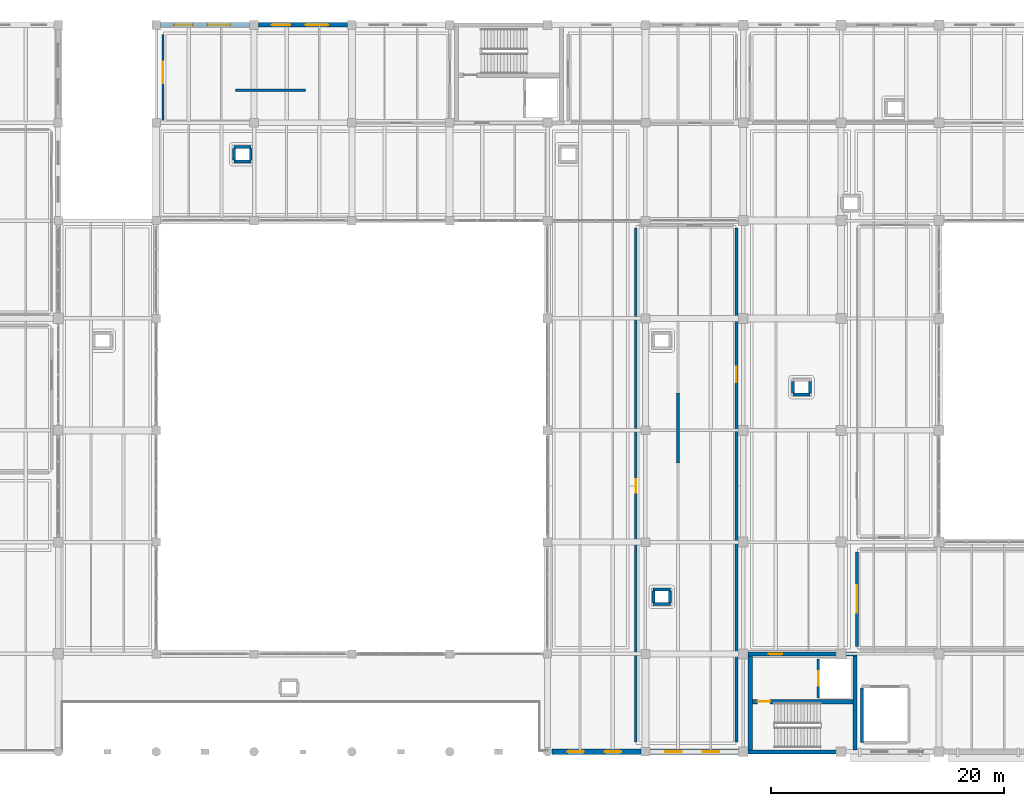
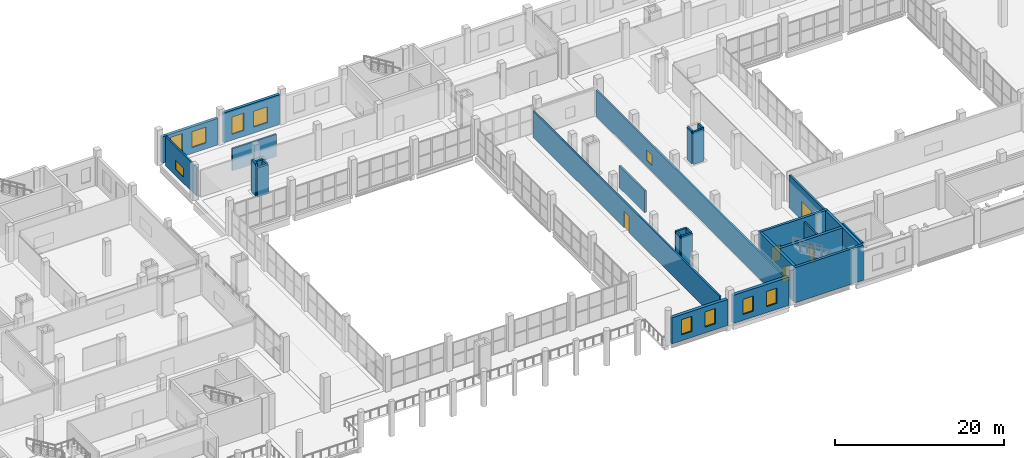
# One storey, part 48 of 66: 28 walls, 10 windows, 5 doors, 15 openings.
"""IFC4 building model written with IfcOpenShell, lengths in metres."""

from ifc_helpers import new_model, si_unit, direction, frame, frame_2d, origin, place, context, subcontext, project, spatial, rectangle, extrude, material, layer, layer_set, type_object, element, fill, save


model = new_model("IFC4")

# Units and contexts
model_context = context("Model", 3, precision=1e-05, world=origin(), true_north=direction((0.0, 1.0)))
body_context = subcontext(model_context, "Body", "Model", "MODEL_VIEW")
ifc_project = project(units=[si_unit("LENGTHUNIT", "METRE"), si_unit("AREAUNIT", "SQUARE_METRE"), si_unit("VOLUMEUNIT", "CUBIC_METRE"), si_unit("PLANEANGLEUNIT", "RADIAN"), si_unit("MASSUNIT", "GRAM", prefix="KILO")], contexts=[model_context])

# Site, building, storey
site_placement = place(None, origin())
site = spatial("IfcSite", under=ifc_project, at=site_placement, CompositionType="ELEMENT")
building_placement = place(site_placement, origin())
building = spatial("IfcBuilding", under=site, at=building_placement, Name="Zulmaris Art Gallery", CompositionType="ELEMENT")
storey_placement = place(building_placement, frame((0.0, 0.0, 5.39990234375)))
storey = spatial("IfcBuildingStorey", under=building, at=storey_placement, Name="L01", CompositionType="ELEMENT", Elevation=5.39990234375)

# Wall, openings, windows
ifc_material_1 = material(Name="Omani Cream Limestone Ashlar Masonry", Category="masonry")
ifc_layer_1 = layer(ifc_material_1, 0.43994140625)
ifc_layer_set_1 = layer_set([ifc_layer_1], Name="Omani Cream Limestone Ashlar Masonry")
wall_type_1 = type_object("IfcWallType", Name="ENV-WALL-EW01", PredefinedType="SOLIDWALL", material=ifc_layer_set_1)
wall_1_placement = place(storey_placement, frame((125.177001953125, 13.199951171875, 0.0), z_axis=(0.0, 0.0, 1.0), x_axis=(1.0, 0.0, 0.0)))
wall_1 = element("IfcWall", 1, at=wall_1_placement, inside=storey, type_object=wall_type_1, Name="L01 V4 South Street Facade", PredefinedType="SOLIDWALL", context=body_context, shape_type="SweptSolid", body=[
    extrude(rectangle(XDim=7.64599609375, YDim=0.43994140625, at=frame_2d((3.822998046875, 0.0))), origin(), (0.0, 0.0, 1.0), 3.77001953125),
])
opening_1_placement = place(wall_1_placement, frame((1.343017578125, 0.0, 0.85009765625)))
opening_1 = element("IfcOpeningElement", 2, at=opening_1_placement, cuts=wall_1, Name="Opening W04", PredefinedType="OPENING", context=body_context, shape_type="SweptSolid", body=[
    extrude(rectangle(XDim=1.39990234375, YDim=2.199951171875, at=frame_2d((0.699951171875, 1.10009765625))), frame((0.0, 0.22998046875, 0.0), z_axis=(0.0, -1.0, 0.0), x_axis=(1.0, 0.0, 0.0)), (0.0, 0.0, 1.0), 0.4599609375),
])
opening_2_placement = place(wall_1_placement, frame((4.54296875, 0.0, 0.85009765625)))
opening_2 = element("IfcOpeningElement", 3, at=opening_2_placement, cuts=wall_1, Name="Opening W04", PredefinedType="OPENING", context=body_context, shape_type="SweptSolid", body=[
    extrude(rectangle(XDim=1.39990234375, YDim=2.199951171875, at=frame_2d((0.699951171875, 1.10009765625))), frame((0.0, 0.22998046875, 0.0), z_axis=(0.0, -1.0, 0.0), x_axis=(1.0, 0.0, 0.0)), (0.0, 0.0, 1.0), 0.4599609375),
])
ifc_material_2 = material(Name="Deep-Reveal Limestone Slot Window", Category="masonry")
window_type_1 = type_object("IfcWindowType", Name="WIN-W04", PartitioningType="SINGLE_PANEL", PredefinedType="WINDOW", material=ifc_material_2)
window_1_placement = place(opening_1_placement, origin())
window_1 = element("IfcWindow", 4, at=window_1_placement, inside=storey, type_object=window_type_1, Name="L01 exterior window W04", OverallHeight=2.199951171875, OverallWidth=1.39990234375, PartitioningType="SINGLE_PANEL", PredefinedType="WINDOW", context=body_context, shape_type="SweptSolid", body=[
    extrude(rectangle(XDim=1.39990234375, YDim=2.199951171875, at=frame_2d((0.699951171875, 1.10009765625))), frame((0.0, 0.030029296875, 0.0), z_axis=(0.0, -1.0, 0.0), x_axis=(1.0, 0.0, 0.0)), (0.0, 0.0, 1.0), 0.06005859375),
])
fill(opening_1, window_1)
window_2_placement = place(opening_2_placement, origin())
window_2 = element("IfcWindow", 5, at=window_2_placement, inside=storey, type_object=window_type_1, Name="L01 exterior window W04", OverallHeight=2.199951171875, OverallWidth=1.39990234375, PartitioningType="SINGLE_PANEL", PredefinedType="WINDOW", context=body_context, shape_type="SweptSolid", body=[
    extrude(rectangle(XDim=1.39990234375, YDim=2.199951171875, at=frame_2d((0.699951171875, 1.10009765625))), frame((0.0, 0.030029296875, 0.0), z_axis=(0.0, -1.0, 0.0), x_axis=(1.0, 0.0, 0.0)), (0.0, 0.0, 1.0), 0.06005859375),
])
fill(opening_2, window_2)

wall_2_placement = place(storey_placement, frame((133.576904296875, 13.199951171875, 0.0), z_axis=(0.0, 0.0, 1.0), x_axis=(1.0, 0.0, 0.0)))
wall_2 = element("IfcWall", 6, at=wall_2_placement, inside=storey, type_object=wall_type_1, Name="L01 V4 South Street Facade", PredefinedType="SOLIDWALL", context=body_context, shape_type="SweptSolid", body=[
    extrude(rectangle(XDim=7.59619140625, YDim=0.43994140625, at=frame_2d((3.798095703125, 0.0))), origin(), (0.0, 0.0, 1.0), 4.070068359375),
])
opening_3_placement = place(wall_2_placement, frame((1.343017578125, 0.0, 0.85009765625)))
opening_3 = element("IfcOpeningElement", 7, at=opening_3_placement, cuts=wall_2, Name="Opening W04", PredefinedType="OPENING", context=body_context, shape_type="SweptSolid", body=[
    extrude(rectangle(XDim=1.39990234375, YDim=2.199951171875, at=frame_2d((0.699951171875, 1.10009765625))), frame((0.0, 0.22998046875, 0.0), z_axis=(0.0, -1.0, 0.0), x_axis=(1.0, 0.0, 0.0)), (0.0, 0.0, 1.0), 0.4599609375),
])
opening_4_placement = place(wall_2_placement, frame((4.54296875, 0.0, 0.85009765625)))
opening_4 = element("IfcOpeningElement", 8, at=opening_4_placement, cuts=wall_2, Name="Opening W04", PredefinedType="OPENING", context=body_context, shape_type="SweptSolid", body=[
    extrude(rectangle(XDim=1.39990234375, YDim=2.199951171875, at=frame_2d((0.699951171875, 1.10009765625))), frame((0.0, 0.22998046875, 0.0), z_axis=(0.0, -1.0, 0.0), x_axis=(1.0, 0.0, 0.0)), (0.0, 0.0, 1.0), 0.4599609375),
])
window_3_placement = place(opening_3_placement, origin())
window_3 = element("IfcWindow", 9, at=window_3_placement, inside=storey, type_object=window_type_1, Name="L01 exterior window W04", OverallHeight=2.199951171875, OverallWidth=1.39990234375, PartitioningType="SINGLE_PANEL", PredefinedType="WINDOW", context=body_context, shape_type="SweptSolid", body=[
    extrude(rectangle(XDim=1.39990234375, YDim=2.199951171875, at=frame_2d((0.699951171875, 1.10009765625))), frame((0.0, 0.030029296875, 0.0), z_axis=(0.0, -1.0, 0.0), x_axis=(1.0, 0.0, 0.0)), (0.0, 0.0, 1.0), 0.06005859375),
])
fill(opening_3, window_3)
window_4_placement = place(opening_4_placement, origin())
window_4 = element("IfcWindow", 10, at=window_4_placement, inside=storey, type_object=window_type_1, Name="L01 exterior window W04", OverallHeight=2.199951171875, OverallWidth=1.39990234375, PartitioningType="SINGLE_PANEL", PredefinedType="WINDOW", context=body_context, shape_type="SweptSolid", body=[
    extrude(rectangle(XDim=1.39990234375, YDim=2.199951171875, at=frame_2d((0.699951171875, 1.10009765625))), frame((0.0, 0.030029296875, 0.0), z_axis=(0.0, -1.0, 0.0), x_axis=(1.0, 0.0, 0.0)), (0.0, 0.0, 1.0), 0.06005859375),
])
fill(opening_4, window_4)

ifc_material_3 = material(Name="Omani Desert Rose Limestone Cladding Wall", Category="masonry")
ifc_layer_2 = layer(ifc_material_3, 0.389892578125)
ifc_layer_set_2 = layer_set([ifc_layer_2], Name="Omani Desert Rose Limestone Cladding Wall")
wall_type_2 = type_object("IfcWallType", Name="ENV-WALL-EW02", PredefinedType="SOLIDWALL", material=ifc_layer_set_2)
wall_3_placement = place(storey_placement, frame((91.576904296875, 75.60009765625, 0.0), z_axis=(0.0, 0.0, 1.0), x_axis=(1.0, 0.0, 0.0)))
wall_3 = element("IfcWall", 11, at=wall_3_placement, inside=storey, type_object=wall_type_2, Name="L01 V4 North Alley Limestone Facade (91.2..99.6)", PredefinedType="SOLIDWALL", context=body_context, shape_type="SweptSolid", body=[
    extrude(rectangle(XDim=7.64599609375, YDim=0.389892578125, at=frame_2d((3.822998046875, 0.0))), origin(), (0.0, 0.0, 1.0), 3.820068359375),
])
opening_5_placement = place(wall_3_placement, frame((1.14306640625, 0.0, 0.85009765625)))
opening_5 = element("IfcOpeningElement", 12, at=opening_5_placement, cuts=wall_3, Name="Opening W01", PredefinedType="OPENING", context=body_context, shape_type="SweptSolid", body=[
    extrude(rectangle(XDim=1.60009765625, YDim=2.5, at=frame_2d((0.800048828125, 1.25))), frame((0.0, 0.204833984375, 0.0), z_axis=(0.0, -1.0, 0.0), x_axis=(1.0, 0.0, 0.0)), (0.0, 0.0, 1.0), 0.409912109375),
])
opening_6_placement = place(wall_3_placement, frame((4.04296875, 0.0, 0.85009765625)))
opening_6 = element("IfcOpeningElement", 13, at=opening_6_placement, cuts=wall_3, Name="Opening W08", PredefinedType="OPENING", context=body_context, shape_type="SweptSolid", body=[
    extrude(rectangle(XDim=1.949951171875, YDim=2.300048828125, at=frame_2d((0.97509765625, 1.14990234375))), frame((0.0, 0.204833984375, 0.0), z_axis=(0.0, -1.0, 0.0), x_axis=(1.0, 0.0, 0.0)), (0.0, 0.0, 1.0), 0.409912109375),
])
ifc_material_4 = material(Name="Double-Glazed Solar-Control Low-E Window", Category="glass")
window_type_2 = type_object("IfcWindowType", Name="WIN-W01", PartitioningType="SINGLE_PANEL", PredefinedType="WINDOW", material=ifc_material_4)
window_5_placement = place(opening_5_placement, origin())
window_5 = element("IfcWindow", 14, at=window_5_placement, inside=storey, type_object=window_type_2, Name="L01 exterior window W01", OverallHeight=2.5, OverallWidth=1.60009765625, PartitioningType="SINGLE_PANEL", PredefinedType="WINDOW", context=body_context, shape_type="SweptSolid", body=[
    extrude(rectangle(XDim=1.60009765625, YDim=2.5, at=frame_2d((0.800048828125, 1.25))), frame((0.0, 0.030029296875, 0.0), z_axis=(0.0, -1.0, 0.0), x_axis=(1.0, 0.0, 0.0)), (0.0, 0.0, 1.0), 0.06005859375),
])
fill(opening_5, window_5)
ifc_material_5 = material(Name="Curatorial North Studio Window", Category="glass")
window_type_3 = type_object("IfcWindowType", Name="WIN-W08", PartitioningType="SINGLE_PANEL", PredefinedType="WINDOW", material=ifc_material_5)
window_6_placement = place(opening_6_placement, origin())
window_6 = element("IfcWindow", 15, at=window_6_placement, inside=storey, type_object=window_type_3, Name="L01 exterior window W08", OverallHeight=2.300048828125, OverallWidth=1.949951171875, PartitioningType="SINGLE_PANEL", PredefinedType="WINDOW", context=body_context, shape_type="SweptSolid", body=[
    extrude(rectangle(XDim=1.949951171875, YDim=2.300048828125, at=frame_2d((0.97509765625, 1.14990234375))), frame((0.0, 0.030029296875, 0.0), z_axis=(0.0, -1.0, 0.0), x_axis=(1.0, 0.0, 0.0)), (0.0, 0.0, 1.0), 0.06005859375),
])
fill(opening_6, window_6)

wall_4_placement = place(storey_placement, frame((99.97705078125, 75.60009765625, 0.0), z_axis=(0.0, 0.0, 1.0), x_axis=(1.0, 0.0, 0.0)))
wall_4 = element("IfcWall", 16, at=wall_4_placement, inside=storey, type_object=wall_type_2, Name="L01 V4 North Alley Limestone Facade (99.6..108.0)", PredefinedType="SOLIDWALL", context=body_context, shape_type="SweptSolid", body=[
    extrude(rectangle(XDim=7.64599609375, YDim=0.389892578125, at=frame_2d((3.822998046875, 0.0))), origin(), (0.0, 0.0, 1.0), 4.320068359375),
])
opening_7_placement = place(wall_4_placement, frame((1.14306640625, 0.0, 0.85009765625)))
opening_7 = element("IfcOpeningElement", 17, at=opening_7_placement, cuts=wall_4, Name="Opening W01", PredefinedType="OPENING", context=body_context, shape_type="SweptSolid", body=[
    extrude(rectangle(XDim=1.60009765625, YDim=2.5, at=frame_2d((0.800048828125, 1.25))), frame((0.0, 0.204833984375, 0.0), z_axis=(0.0, -1.0, 0.0), x_axis=(1.0, 0.0, 0.0)), (0.0, 0.0, 1.0), 0.409912109375),
])
opening_8_placement = place(wall_4_placement, frame((4.04296875, 0.0, 0.85009765625)))
opening_8 = element("IfcOpeningElement", 18, at=opening_8_placement, cuts=wall_4, Name="Opening W08", PredefinedType="OPENING", context=body_context, shape_type="SweptSolid", body=[
    extrude(rectangle(XDim=1.949951171875, YDim=2.300048828125, at=frame_2d((0.97509765625, 1.14990234375))), frame((0.0, 0.204833984375, 0.0), z_axis=(0.0, -1.0, 0.0), x_axis=(1.0, 0.0, 0.0)), (0.0, 0.0, 1.0), 0.409912109375),
])
window_7_placement = place(opening_7_placement, origin())
window_7 = element("IfcWindow", 19, at=window_7_placement, inside=storey, type_object=window_type_2, Name="L01 exterior window W01", OverallHeight=2.5, OverallWidth=1.60009765625, PartitioningType="SINGLE_PANEL", PredefinedType="WINDOW", context=body_context, shape_type="SweptSolid", body=[
    extrude(rectangle(XDim=1.60009765625, YDim=2.5, at=frame_2d((0.800048828125, 1.25))), frame((0.0, 0.030029296875, 0.0), z_axis=(0.0, -1.0, 0.0), x_axis=(1.0, 0.0, 0.0)), (0.0, 0.0, 1.0), 0.06005859375),
])
fill(opening_7, window_7)
window_8_placement = place(opening_8_placement, origin())
window_8 = element("IfcWindow", 20, at=window_8_placement, inside=storey, type_object=window_type_3, Name="L01 exterior window W08", OverallHeight=2.300048828125, OverallWidth=1.949951171875, PartitioningType="SINGLE_PANEL", PredefinedType="WINDOW", context=body_context, shape_type="SweptSolid", body=[
    extrude(rectangle(XDim=1.949951171875, YDim=2.300048828125, at=frame_2d((0.97509765625, 1.14990234375))), frame((0.0, 0.030029296875, 0.0), z_axis=(0.0, -1.0, 0.0), x_axis=(1.0, 0.0, 0.0)), (0.0, 0.0, 1.0), 0.06005859375),
])
fill(opening_8, window_8)

# Walls
ifc_material_6 = material(Name="Freestanding Sculpture Plinth Screen Wall C", Category="timber")
ifc_layer_3 = layer(ifc_material_6, 0.2119140625)
ifc_layer_set_3 = layer_set([ifc_layer_3], Name="Freestanding Sculpture Plinth Screen Wall C")
wall_type_3 = type_object("IfcWallType", Name="IWALL-MW03", PredefinedType="MOVABLE", material=ifc_layer_set_3)
wall_5_placement = place(storey_placement, frame((98.0, 70.0, 0.0), z_axis=(0.0, 0.0, 1.0), x_axis=(1.0, 0.0, 0.0)))
element("IfcWall", 21, at=wall_5_placement, inside=storey, type_object=wall_type_3, Name="L01 Movable Gallery Display Wall 7", PredefinedType="MOVABLE", context=body_context, shape_type="SweptSolid", body=[
    extrude(rectangle(XDim=6.0, YDim=0.2119140625, at=frame_2d((3.0, 0.0))), origin(), (0.0, 0.0, 1.0), 3.2001953125),
])
ifc_material_7 = material(Name="Pivoting Double-Sided Canvas Display Wall D", Category="timber")
ifc_layer_4 = layer(ifc_material_7, 0.248046875)
ifc_layer_set_4 = layer_set([ifc_layer_4], Name="Pivoting Double-Sided Canvas Display Wall D")
wall_type_4 = type_object("IfcWallType", Name="IWALL-MW04", PredefinedType="MOVABLE", material=ifc_layer_set_4)
wall_6_placement = place(storey_placement, frame((136.0, 38.0, 0.0), z_axis=(0.0, 0.0, 1.0), x_axis=(0.0, 1.0, 0.0)))
element("IfcWall", 22, at=wall_6_placement, inside=storey, type_object=wall_type_4, Name="L01 Movable Gallery Display Wall 8", PredefinedType="MOVABLE", context=body_context, shape_type="SweptSolid", body=[
    extrude(rectangle(XDim=6.0, YDim=0.248046875, at=frame_2d((3.0, 0.0))), origin(), (0.0, 0.0, 1.0), 3.2001953125),
])

# Wall, opening, window
ifc_material_8 = material(Name="Conservation Laboratory Partition", Category="masonry")
ifc_layer_5 = layer(ifc_material_8, 0.18994140625)
ifc_layer_set_5 = layer_set([ifc_layer_5], Name="Conservation Laboratory Partition")
wall_type_5 = type_object("IfcWallType", Name="IWALL-PW07", PredefinedType="PARTITIONING", material=ifc_layer_set_5)
wall_7_placement = place(storey_placement, frame((91.780029296875, 67.429931640625, 0.0), z_axis=(0.0, 0.0, 1.0), x_axis=(0.0, 1.0, 0.0)))
wall_7 = element("IfcWall", 23, at=wall_7_placement, inside=storey, type_object=wall_type_5, Name="20th-Century Ceramics & Glass Gallery W partition", PredefinedType="PARTITIONING", context=body_context, shape_type="SweptSolid", body=[
    extrude(rectangle(XDim=7.340087890625, YDim=0.18994140625, at=frame_2d((3.669921875, 0.0))), origin(), (0.0, 0.0, 1.0), 4.170166015625),
])
opening_9_placement = place(wall_7_placement, frame((3.14990234375, 0.0, 0.89990234375)))
opening_9 = element("IfcOpeningElement", 24, at=opening_9_placement, cuts=wall_7, Name="Opening IW02", PredefinedType="OPENING", context=body_context, shape_type="SweptSolid", body=[
    extrude(rectangle(XDim=1.860107421875, YDim=1.280029296875, at=frame_2d((0.93017578125, 0.64013671875))), frame((0.0, 0.10498046875, 0.0), z_axis=(0.0, -1.0, 0.0), x_axis=(1.0, 0.0, 0.0)), (0.0, 0.0, 1.0), 0.2099609375),
])
ifc_material_9 = material(Name="Auditorium Booth Acoustic Window", Category="glass")
window_type_4 = type_object("IfcWindowType", Name="IWIN-IW02", PartitioningType="SINGLE_PANEL", PredefinedType="WINDOW", material=ifc_material_9)
window_9_placement = place(opening_9_placement, origin())
window_9 = element("IfcWindow", 25, at=window_9_placement, inside=storey, type_object=window_type_4, Name="L01 interior observation window IW02", OverallHeight=1.280029296875, OverallWidth=1.860107421875, PartitioningType="SINGLE_PANEL", PredefinedType="WINDOW", context=body_context, shape_type="SweptSolid", body=[
    extrude(rectangle(XDim=1.860107421875, YDim=1.280029296875, at=frame_2d((0.93017578125, 0.64013671875))), frame((0.0, 0.030029296875, 0.0), z_axis=(0.0, -1.0, 0.0), x_axis=(1.0, 0.0, 0.0)), (0.0, 0.0, 1.0), 0.06005859375),
])
fill(opening_9, window_9)

# Wall, opening, door
ifc_material_10 = material(Name="Hygrometric Art Store Buffer Wall", Category="masonry")
ifc_layer_6 = layer(ifc_material_10, 0.219970703125)
ifc_layer_set_6 = layer_set([ifc_layer_6], Name="Hygrometric Art Store Buffer Wall")
wall_type_6 = type_object("IfcWallType", Name="IWALL-PW09", PredefinedType="PARTITIONING", material=ifc_layer_set_6)
wall_8_placement = place(storey_placement, frame((132.3798828125, 14.030029296875, 0.0), z_axis=(0.0, 0.0, 1.0), x_axis=(0.0, 1.0, 0.0)))
wall_8 = element("IfcWall", 26, at=wall_8_placement, inside=storey, type_object=wall_type_6, Name="Indian Ocean Trade Exchange Gallery W partition", PredefinedType="PARTITIONING", context=body_context, shape_type="SweptSolid", body=[
    extrude(rectangle(XDim=44.139892578125, YDim=0.219970703125, at=frame_2d((22.06982421875, 0.0))), origin(), (0.0, 0.0, 1.0), 3.77001953125),
])
opening_10_placement = place(wall_8_placement, frame((21.39990234375, 0.0, 0.0)))
opening_10 = element("IfcOpeningElement", 27, at=opening_10_placement, cuts=wall_8, Name="Opening D24", PredefinedType="OPENING", context=body_context, shape_type="SweptSolid", body=[
    extrude(rectangle(XDim=1.159912109375, YDim=2.340087890625, at=frame_2d((0.580078125, 1.169921875))), frame((0.0, 0.119873046875, 0.0), z_axis=(0.0, -1.0, 0.0), x_axis=(1.0, 0.0, 0.0)), (0.0, 0.0, 1.0), 0.239990234375),
])
ifc_material_11 = material(Name="Darkroom Light-Lock Door", Category="steel")
door_type_1 = type_object("IfcDoorType", Name="IDOOR-D24", OperationType="NOTDEFINED", PredefinedType="DOOR", material=ifc_material_11)
door_1_placement = place(opening_10_placement, origin())
door_1 = element("IfcDoor", 28, at=door_1_placement, inside=storey, type_object=door_type_1, Name="Indian Ocean Trade Exchange Gallery Door", OperationType="SINGLE_SWING_RIGHT", OverallHeight=2.340087890625, OverallWidth=1.159912109375, PredefinedType="DOOR", context=body_context, shape_type="SweptSolid", body=[
    extrude(rectangle(XDim=1.159912109375, YDim=2.340087890625, at=frame_2d((0.580078125, 1.169921875))), frame((0.0, 0.02490234375, 0.0), z_axis=(0.0, -1.0, 0.0), x_axis=(1.0, 0.0, 0.0)), (0.0, 0.0, 1.0), 0.050048828125),
])
fill(opening_10, door_1)

# Wall, opening, window
wall_9_placement = place(storey_placement, frame((141.02001953125, 14.030029296875, 0.0), z_axis=(0.0, 0.0, 1.0), x_axis=(0.0, 1.0, 0.0)))
wall_9 = element("IfcWall", 29, at=wall_9_placement, inside=storey, type_object=wall_type_6, Name="Indian Ocean Trade Exchange Gallery E partition", PredefinedType="PARTITIONING", context=body_context, shape_type="SweptSolid", body=[
    extrude(rectangle(XDim=44.139892578125, YDim=0.219970703125, at=frame_2d((22.06982421875, 0.0))), origin(), (0.0, 0.0, 1.0), 3.77001953125),
])
opening_11_placement = place(wall_9_placement, frame((30.89990234375, 0.0, 0.89990234375)))
opening_11 = element("IfcOpeningElement", 30, at=opening_11_placement, cuts=wall_9, Name="Opening IW04", PredefinedType="OPENING", context=body_context, shape_type="SweptSolid", body=[
    extrude(rectangle(XDim=1.320068359375, YDim=1.5, at=frame_2d((0.66015625, 0.75))), frame((0.0, 0.119873046875, 0.0), z_axis=(0.0, -1.0, 0.0), x_axis=(1.0, 0.0, 0.0)), (0.0, 0.0, 1.0), 0.239990234375),
])
ifc_material_12 = material(Name="Curatorial Study Vitrine Window", Category="glass")
window_type_5 = type_object("IfcWindowType", Name="IWIN-IW04", PartitioningType="SINGLE_PANEL", PredefinedType="WINDOW", material=ifc_material_12)
window_10_placement = place(opening_11_placement, origin())
window_10 = element("IfcWindow", 31, at=window_10_placement, inside=storey, type_object=window_type_5, Name="L01 interior observation window IW04", OverallHeight=1.5, OverallWidth=1.320068359375, PartitioningType="SINGLE_PANEL", PredefinedType="WINDOW", context=body_context, shape_type="SweptSolid", body=[
    extrude(rectangle(XDim=1.320068359375, YDim=1.5, at=frame_2d((0.66015625, 0.75))), frame((0.0, 0.030029296875, 0.0), z_axis=(0.0, -1.0, 0.0), x_axis=(1.0, 0.0, 0.0)), (0.0, 0.0, 1.0), 0.06005859375),
])
fill(opening_11, window_10)

# Wall, opening, door
ifc_material_13 = material(Name="Core Lobby Fire-Resisting Masonry Wall", Category="masonry")
ifc_layer_7 = layer(ifc_material_13, 0.235107421875)
ifc_layer_set_7 = layer_set([ifc_layer_7], Name="Core Lobby Fire-Resisting Masonry Wall")
wall_type_7 = type_object("IfcWallType", Name="IWALL-PW10", PredefinedType="PARTITIONING", material=ifc_layer_set_7)
wall_10_placement = place(storey_placement, frame((148.050048828125, 17.820068359375, 0.0), z_axis=(0.0, 0.0, 1.0), x_axis=(0.0, 1.0, 0.0)))
wall_10 = element("IfcWall", 32, at=wall_10_placement, inside=storey, type_object=wall_type_7, Name="LF-F2 L01 lift shaft front wall", PredefinedType="PARTITIONING", context=body_context, shape_type="SweptSolid", body=[
    extrude(rectangle(XDim=3.329833984375, YDim=0.235107421875, at=frame_2d((1.6650390625, 0.0))), origin(), (0.0, 0.0, 1.0), 4.72021484375),
])
opening_12_placement = place(wall_10_placement, frame((1.054931640625, 0.0, 0.0)))
opening_12 = element("IfcOpeningElement", 33, at=opening_12_placement, cuts=wall_10, Name="Opening LD02", PredefinedType="OPENING", context=body_context, shape_type="SweptSolid", body=[
    extrude(rectangle(XDim=1.219970703125, YDim=2.239990234375, at=frame_2d((0.60986328125, 1.1201171875))), frame((0.0, 0.12744140625, 0.0), z_axis=(0.0, -1.0, 0.0), x_axis=(1.0, 0.0, 0.0)), (0.0, 0.0, 1.0), 0.255126953125),
])
ifc_material_14 = material(Name="Firefighting Lift Sliding Landing Door", Category="steel")
door_type_2 = type_object("IfcDoorType", Name="IDOOR-LD02", OperationType="SLIDING_TO_RIGHT", PredefinedType="DOOR", material=ifc_material_14)
door_2_placement = place(opening_12_placement, origin())
door_2 = element("IfcDoor", 34, at=door_2_placement, inside=storey, type_object=door_type_2, Name="LF-F2 L01 Lift Landing Sliding Door", OperationType="SLIDING_TO_RIGHT", OverallHeight=2.239990234375, OverallWidth=1.219970703125, PredefinedType="DOOR", context=body_context, shape_type="SweptSolid", body=[
    extrude(rectangle(XDim=1.219970703125, YDim=2.239990234375, at=frame_2d((0.60986328125, 1.1201171875))), frame((0.0, 0.02490234375, 0.0), z_axis=(0.0, -1.0, 0.0), x_axis=(1.0, 0.0, 0.0)), (0.0, 0.0, 1.0), 0.050048828125),
])
fill(opening_12, door_2)

# Walls
wall_11_placement = place(storey_placement, frame((151.800048828125, 14.0, 0.0), z_axis=(0.0, 0.0, 1.0), x_axis=(0.0, 1.0, 0.0)))
element("IfcWall", 35, at=wall_11_placement, inside=storey, type_object=wall_type_7, Name="Goods Lift L01 west shaft wall", PredefinedType="PARTITIONING", context=body_context, shape_type="SweptSolid", body=[
    extrude(rectangle(XDim=4.659912109375, YDim=0.235107421875, at=frame_2d((2.330078125, 0.0))), origin(), (0.0, 0.0, 1.0), 4.72021484375),
])
ifc_material_15 = material(Name="MEP Riser & Smoke Shaft Enclosure Wall", Category="masonry")
ifc_layer_8 = layer(ifc_material_15, 0.2548828125)
ifc_layer_set_8 = layer_set([ifc_layer_8], Name="MEP Riser & Smoke Shaft Enclosure Wall")
wall_type_8 = type_object("IfcWallType", Name="IWALL-PW11", PredefinedType="PARTITIONING", material=ifc_layer_set_8)
for number, where, z_axis, x_axis, name in (
    (36, (97.860107421875, 65.1201171875, 0.0), (0.0, 0.0, 1.0), (1.0, 0.0, 0.0), "L01 MEP Riser 9 N wall"),
    (37, (97.860107421875, 63.8798828125, 0.0), (0.0, 0.0, 1.0), (1.0, 0.0, 0.0), "L01 MEP Riser 9 S wall"),
):
    element("IfcWall", number, at=place(storey_placement, frame(where, z_axis=z_axis, x_axis=x_axis)), inside=storey, type_object=wall_type_8, Name=name, PredefinedType="PARTITIONING", context=body_context, shape_type="SweptSolid", body=[
        extrude(rectangle(XDim=1.47998046875, YDim=0.2548828125, at=frame_2d((0.739990234375, 0.0))), origin(), (0.0, 0.0, 1.0), 4.170166015625),
    ])
wall_12_placement = place(storey_placement, frame((97.8798828125, 64.0, 0.0), z_axis=(0.0, 0.0, 1.0), x_axis=(0.0, 1.0, 0.0)))
element("IfcWall", 38, at=wall_12_placement, inside=storey, type_object=wall_type_8, Name="L01 MEP Riser 9 W wall", PredefinedType="PARTITIONING", context=body_context, shape_type="SweptSolid", body=[
    extrude(rectangle(XDim=1.0, YDim=0.2548828125, at=frame_2d((0.5, 0.0))), origin(), (0.0, 0.0, 1.0), 4.72021484375),
])
wall_13_placement = place(storey_placement, frame((99.320068359375, 64.0, 0.0), z_axis=(0.0, 0.0, 1.0), x_axis=(0.0, 1.0, 0.0)))
element("IfcWall", 39, at=wall_13_placement, inside=storey, type_object=wall_type_8, Name="L01 MEP Riser 9 E wall", PredefinedType="PARTITIONING", context=body_context, shape_type="SweptSolid", body=[
    extrude(rectangle(XDim=1.0, YDim=0.2548828125, at=frame_2d((0.5, 0.0))), origin(), (0.0, 0.0, 1.0), 4.170166015625),
])
for number, where, z_axis, x_axis, name in (
    (40, (133.860107421875, 27.1201171875, 0.0), (0.0, 0.0, 1.0), (1.0, 0.0, 0.0), "L01 MEP Riser 11 N wall"),
    (41, (133.860107421875, 25.8798828125, 0.0), (0.0, 0.0, 1.0), (1.0, 0.0, 0.0), "L01 MEP Riser 11 S wall"),
):
    element("IfcWall", number, at=place(storey_placement, frame(where, z_axis=z_axis, x_axis=x_axis)), inside=storey, type_object=wall_type_8, Name=name, PredefinedType="PARTITIONING", context=body_context, shape_type="SweptSolid", body=[
        extrude(rectangle(XDim=1.47998046875, YDim=0.2548828125, at=frame_2d((0.739990234375, 0.0))), origin(), (0.0, 0.0, 1.0), 4.72021484375),
    ])
for number, where, z_axis, x_axis, name in (
    (42, (133.8798828125, 26.0, 0.0), (0.0, 0.0, 1.0), (0.0, 1.0, 0.0), "L01 MEP Riser 11 W wall"),
    (43, (135.320068359375, 26.0, 0.0), (0.0, 0.0, 1.0), (0.0, 1.0, 0.0), "L01 MEP Riser 11 E wall"),
):
    element("IfcWall", number, at=place(storey_placement, frame(where, z_axis=z_axis, x_axis=x_axis)), inside=storey, type_object=wall_type_8, Name=name, PredefinedType="PARTITIONING", context=body_context, shape_type="SweptSolid", body=[
        extrude(rectangle(XDim=1.0, YDim=0.2548828125, at=frame_2d((0.5, 0.0))), origin(), (0.0, 0.0, 1.0), 4.72021484375),
    ])
wall_14_placement = place(storey_placement, frame((145.860107421875, 43.8798828125, 0.0), z_axis=(0.0, 0.0, 1.0), x_axis=(1.0, 0.0, 0.0)))
element("IfcWall", 44, at=wall_14_placement, inside=storey, type_object=wall_type_8, Name="L01 MEP Riser 17 S wall", PredefinedType="PARTITIONING", context=body_context, shape_type="SweptSolid", body=[
    extrude(rectangle(XDim=1.47998046875, YDim=0.2548828125, at=frame_2d((0.739990234375, 0.0))), origin(), (0.0, 0.0, 1.0), 4.72021484375),
])
for number, where, z_axis, x_axis, name in (
    (45, (145.8798828125, 44.0, 0.0), (0.0, 0.0, 1.0), (0.0, 1.0, 0.0), "L01 MEP Riser 17 W wall"),
    (46, (147.320068359375, 44.0, 0.0), (0.0, 0.0, 1.0), (0.0, 1.0, 0.0), "L01 MEP Riser 17 E wall"),
):
    element("IfcWall", number, at=place(storey_placement, frame(where, z_axis=z_axis, x_axis=x_axis)), inside=storey, type_object=wall_type_8, Name=name, PredefinedType="PARTITIONING", context=body_context, shape_type="SweptSolid", body=[
        extrude(rectangle(XDim=1.0, YDim=0.2548828125, at=frame_2d((0.5, 0.0))), origin(), (0.0, 0.0, 1.0), 4.72021484375),
    ])

# Wall, opening, door
ifc_material_16 = material(Name="Plant & Substation Acoustic Blockwork Wall", Category="masonry")
ifc_layer_9 = layer(ifc_material_16, 0.27001953125)
ifc_layer_set_9 = layer_set([ifc_layer_9], Name="Plant & Substation Acoustic Blockwork Wall")
wall_type_9 = type_object("IfcWallType", Name="IWALL-PW12", PredefinedType="PARTITIONING", material=ifc_layer_set_9)
wall_15_placement = place(storey_placement, frame((151.3798828125, 22.22998046875, 0.0), z_axis=(0.0, 0.0, 1.0), x_axis=(0.0, 1.0, 0.0)))
wall_15 = element("IfcWall", 47, at=wall_15_placement, inside=storey, type_object=wall_type_9, Name="Climate-Controlled Art Store 2 W partition", PredefinedType="PARTITIONING", context=body_context, shape_type="SweptSolid", body=[
    extrude(rectangle(XDim=8.14013671875, YDim=0.27001953125, at=frame_2d((4.070068359375, 0.0))), origin(), (0.0, 0.0, 1.0), 4.72021484375),
])
opening_13_placement = place(wall_15_placement, frame((2.89990234375, 0.0, 0.0)))
opening_13 = element("IfcOpeningElement", 48, at=opening_13_placement, cuts=wall_15, Name="Opening VG01", PredefinedType="OPENING", context=body_context, shape_type="SweptSolid", body=[
    extrude(rectangle(XDim=2.3798828125, YDim=2.739990234375, at=frame_2d((1.18994140625, 1.3701171875))), frame((0.0, 0.14501953125, 0.0), z_axis=(0.0, -1.0, 0.0), x_axis=(1.0, 0.0, 0.0)), (0.0, 0.0, 1.0), 0.2900390625),
])
ifc_material_17 = material(Name="Climate Art Vault Vapor-Sealed Gate A", Category="steel")
door_type_3 = type_object("IfcDoorType", Name="IDOOR-VG01", OperationType="DOUBLE_SWING_LEFT", PredefinedType="GATE", material=ifc_material_17)
door_3_placement = place(opening_13_placement, origin())
door_3 = element("IfcDoor", 49, at=door_3_placement, inside=storey, type_object=door_type_3, Name="Climate-Controlled Art Store 2 Door", OperationType="DOUBLE_SWING_LEFT", OverallHeight=2.739990234375, OverallWidth=2.3798828125, PredefinedType="GATE", context=body_context, shape_type="SweptSolid", body=[
    extrude(rectangle(XDim=2.3798828125, YDim=2.739990234375, at=frame_2d((1.18994140625, 1.3701171875))), frame((0.0, 0.02490234375, 0.0), z_axis=(0.0, -1.0, 0.0), x_axis=(1.0, 0.0, 0.0)), (0.0, 0.0, 1.0), 0.050048828125),
])
fill(opening_13, door_3)

# Wall
ifc_material_18 = material(Name="Concrete C50/60", Category="concrete")
ifc_layer_10 = layer(ifc_material_18, 0.35009765625)
ifc_layer_set_10 = layer_set([ifc_layer_10], Name="Concrete C50/60")
wall_type_10 = type_object("IfcWallType", Name="STR-WALL-SW01", PredefinedType="SHEAR", material=ifc_layer_set_10)
wall_16_placement = place(storey_placement, frame((151.375, 13.199951171875, 0.0), z_axis=(0.0, 0.0, 1.0), x_axis=(-1.0, 0.0, 0.0)))
element("IfcWall", 50, at=wall_16_placement, inside=storey, type_object=wall_type_10, Name="Core C3 L01 S shear wall", PredefinedType="SHEAR", context=body_context, shape_type="SweptSolid", body=[
    extrude(rectangle(XDim=9.35009765625, YDim=0.35009765625, at=frame_2d((4.675048828125, 0.0))), origin(), (0.0, 0.0, 1.0), 5.10009765625),
])

# Wall, opening, door
wall_17_placement = place(storey_placement, frame((142.02490234375, 21.60009765625, 0.0), z_axis=(0.0, 0.0, 1.0), x_axis=(1.0, 0.0, 0.0)))
wall_17 = element("IfcWall", 51, at=wall_17_placement, inside=storey, type_object=wall_type_10, Name="Core C3 L01 N shear wall", PredefinedType="SHEAR", context=body_context, shape_type="SweptSolid", body=[
    extrude(rectangle(XDim=9.35009765625, YDim=0.35009765625, at=frame_2d((4.675048828125, 0.0))), origin(), (0.0, 0.0, 1.0), 5.10009765625),
])
opening_14_placement = place(wall_17_placement, frame((1.75, 0.0, 0.0)))
opening_14 = element("IfcOpeningElement", 52, at=opening_14_placement, cuts=wall_17, Name="Opening D08", PredefinedType="OPENING", context=body_context, shape_type="SweptSolid", body=[
    extrude(rectangle(XDim=1.179931640625, YDim=2.239990234375, at=frame_2d((0.58984375, 1.1201171875))), frame((0.0, 0.18505859375, 0.0), z_axis=(0.0, -1.0, 0.0), x_axis=(1.0, 0.0, 0.0)), (0.0, 0.0, 1.0), 0.3701171875),
])
ifc_material_19 = material(Name="Firefighting Lobby Compartment Door", Category="steel")
door_type_4 = type_object("IfcDoorType", Name="IDOOR-D08", OperationType="NOTDEFINED", PredefinedType="DOOR", material=ifc_material_19)
door_4_placement = place(opening_14_placement, origin())
door_4 = element("IfcDoor", 53, at=door_4_placement, inside=storey, type_object=door_type_4, Name="Core C3 L01 Lobby Compartment Door", OperationType="SINGLE_SWING_RIGHT", OverallHeight=2.239990234375, OverallWidth=1.179931640625, PredefinedType="DOOR", context=body_context, shape_type="SweptSolid", body=[
    extrude(rectangle(XDim=1.179931640625, YDim=2.239990234375, at=frame_2d((0.58984375, 1.1201171875))), frame((0.0, 0.02490234375, 0.0), z_axis=(0.0, -1.0, 0.0), x_axis=(1.0, 0.0, 0.0)), (0.0, 0.0, 1.0), 0.050048828125),
])
fill(opening_14, door_4)

# Walls
for number, where, z_axis, x_axis, name in (
    (54, (142.199951171875, 13.375, 0.0), (0.0, 0.0, 1.0), (0.0, 1.0, 0.0), "Core C3 L01 W shear wall"),
    (55, (151.199951171875, 13.375, 0.0), (0.0, 0.0, 1.0), (0.0, 1.0, 0.0), "Core C3 L01 E shear wall"),
):
    element("IfcWall", number, at=place(storey_placement, frame(where, z_axis=z_axis, x_axis=x_axis)), inside=storey, type_object=wall_type_10, Name=name, PredefinedType="SHEAR", context=body_context, shape_type="SweptSolid", body=[
        extrude(rectangle(XDim=8.050048828125, YDim=0.35009765625, at=frame_2d((4.02490234375, 0.0))), origin(), (0.0, 0.0, 1.0), 5.10009765625),
    ])

# Wall, opening, door
ifc_layer_11 = layer(ifc_material_18, 0.3798828125)
ifc_layer_set_11 = layer_set([ifc_layer_11], Name="Concrete C50/60")
wall_type_11 = type_object("IfcWallType", Name="STR-WALL-SW02", PredefinedType="SHEAR", material=ifc_layer_set_11)
wall_18_placement = place(storey_placement, frame((142.375, 17.510009765625, 0.0), z_axis=(0.0, 0.0, 1.0), x_axis=(1.0, 0.0, 0.0)))
wall_18 = element("IfcWall", 56, at=wall_18_placement, inside=storey, type_object=wall_type_11, Name="Core C3 L01 DIV shear wall", PredefinedType="SHEAR", context=body_context, shape_type="SweptSolid", body=[
    extrude(rectangle(XDim=8.64990234375, YDim=0.3798828125, at=frame_2d((4.324951171875, 0.0))), origin(), (0.0, 0.0, 1.0), 5.10009765625),
])
opening_15_placement = place(wall_18_placement, frame((0.449951171875, 0.0, 0.0)))
opening_15 = element("IfcOpeningElement", 57, at=opening_15_placement, cuts=wall_18, Name="Opening D07", PredefinedType="OPENING", context=body_context, shape_type="SweptSolid", body=[
    extrude(rectangle(XDim=1.080078125, YDim=2.179931640625, at=frame_2d((0.5400390625, 1.08984375))), frame((0.0, 0.199951171875, 0.0), z_axis=(0.0, -1.0, 0.0), x_axis=(1.0, 0.0, 0.0)), (0.0, 0.0, 1.0), 0.39990234375),
])
ifc_material_20 = material(Name="Stairwell Fire Escape Door", Category="steel")
door_type_5 = type_object("IfcDoorType", Name="IDOOR-D07", OperationType="NOTDEFINED", PredefinedType="DOOR", material=ifc_material_20)
door_5_placement = place(opening_15_placement, origin())
door_5 = element("IfcDoor", 58, at=door_5_placement, inside=storey, type_object=door_type_5, Name="Core C3 L01 Stair ST3 Fire Door", OperationType="SINGLE_SWING_LEFT", OverallHeight=2.179931640625, OverallWidth=1.080078125, PredefinedType="DOOR", context=body_context, shape_type="SweptSolid", body=[
    extrude(rectangle(XDim=1.080078125, YDim=2.179931640625, at=frame_2d((0.5400390625, 1.08984375))), frame((0.0, 0.02490234375, 0.0), z_axis=(0.0, -1.0, 0.0), x_axis=(1.0, 0.0, 0.0)), (0.0, 0.0, 1.0), 0.050048828125),
])
fill(opening_15, door_5)

save(model, "model.ifc")
